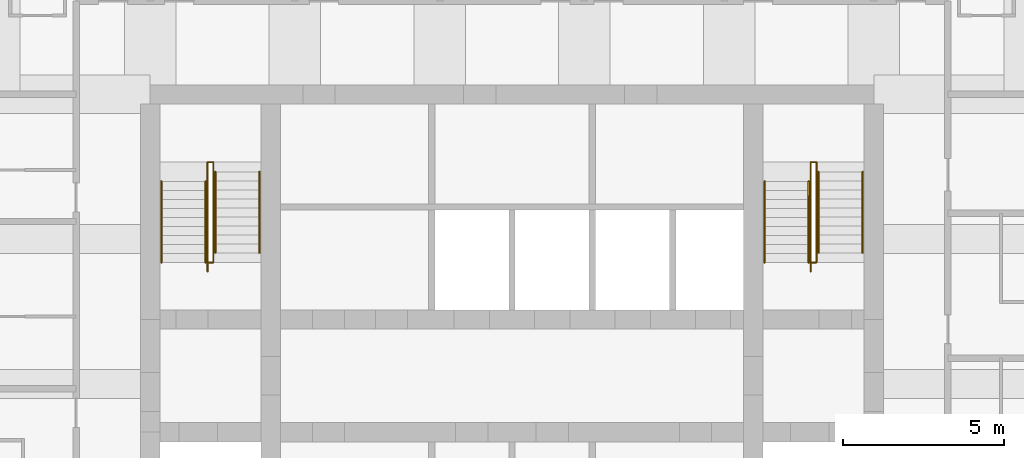
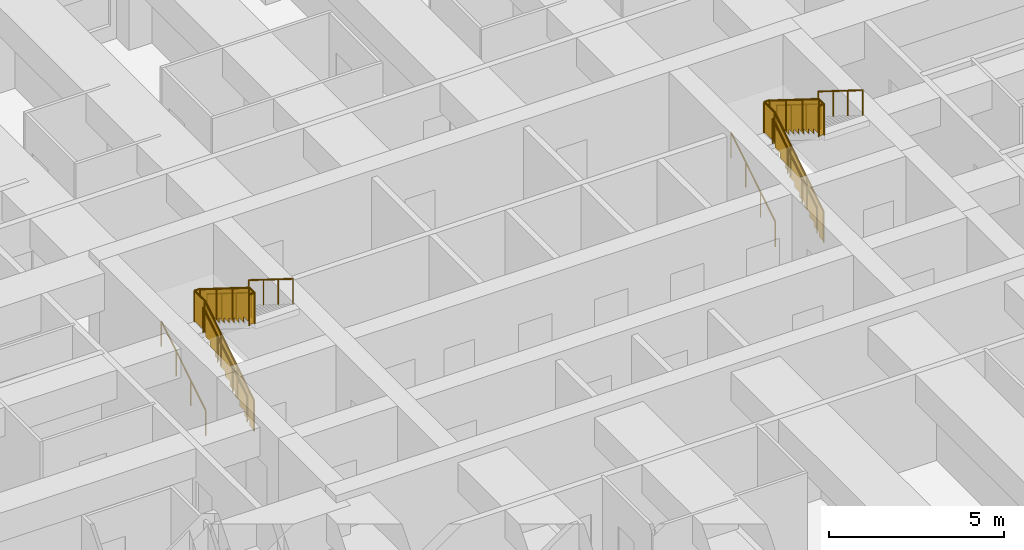
# One storey, part 8 of 8: 12 railings.
"""IFC4 building model written with IfcOpenShell, lengths in metres."""

from ifc_helpers import new_model, si_unit, direction, frame, origin, origin_2d, place, context, subcontext, project, spatial, polyline, circle, outline, extrude, material, type_object, element, save


model = new_model("IFC4")

# Units and contexts
model_context = context("Model", 3, precision=1e-05, world=origin(), true_north=direction((0.0, 1.0)))
body_context = subcontext(model_context, "Body", "Model", "MODEL_VIEW")
ifc_project = project(units=[si_unit("LENGTHUNIT", "METRE"), si_unit("AREAUNIT", "SQUARE_METRE"), si_unit("VOLUMEUNIT", "CUBIC_METRE"), si_unit("PLANEANGLEUNIT", "RADIAN"), si_unit("MASSUNIT", "GRAM", prefix="KILO")], contexts=[model_context])

# Site, building, storey
site_placement = place(None, origin())
site = spatial("IfcSite", under=ifc_project, at=site_placement, CompositionType="ELEMENT")
building_placement = place(site_placement, origin())
building = spatial("IfcBuilding", under=site, at=building_placement, Name="Kilele Tower Hotel", CompositionType="ELEMENT")
storey_placement = place(building_placement, frame((0.0, 0.0, 183.39990234375)))
storey = spatial("IfcBuildingStorey", under=building, at=storey_placement, Name="L47", CompositionType="ELEMENT", Elevation=183.39990234375)

# Railings
ifc_material_1 = material(Name="Steel handrail", Category="steel")
railing_type_1 = type_object("IfcRailingType", Name="Handrail 900", PredefinedType="HANDRAIL", material=ifc_material_1)
for number, where, name in (
    (1, (13.85009765625, 21.77490234375, 0.175048828125), "Handrail ST1 flight 1"),
    (2, (15.22509765625, 21.77490234375, 0.175048828125), "Handrail ST1 flight 1"),
):
    element("IfcRailing", number, at=place(storey_placement, frame(where)), inside=storey, type_object=railing_type_1, Name=name, PredefinedType="HANDRAIL", context=body_context, shape_type="SweptSolid", body=[
        extrude(circle(Radius=0.02490234375, at=origin_2d()), frame((0.0, 0.0, 0.875), z_axis=(0.0, 0.848007534815, 0.529984170421), x_axis=(-1.0, 0.0, 0.0)), (0.0, 0.0, 1.0), 2.9716796875),
        extrude(circle(Radius=0.02001953125, at=origin_2d()), origin(), (0.0, 0.0, 1.0), 0.849853515625),
        extrude(circle(Radius=0.02001953125, at=origin_2d()), frame((0.0, 0.840087890625, 0.52490234375)), (0.0, 0.0, 1.0), 0.849853515625),
        extrude(circle(Radius=0.02001953125, at=origin_2d()), frame((0.0, 1.679931640625, 1.050048828125)), (0.0, 0.0, 1.0), 0.849853515625),
        extrude(circle(Radius=0.02001953125, at=origin_2d()), frame((0.0, 2.52001953125, 1.574951171875)), (0.0, 0.0, 1.0), 0.849853515625),
    ])
for number, where, name in (
    (3, (15.52490234375, 24.594970703125, 1.925048828125), "Handrail ST1 flight 2"),
    (4, (16.89990234375, 24.594970703125, 1.925048828125), "Handrail ST1 flight 2"),
):
    element("IfcRailing", number, at=place(storey_placement, frame(where)), inside=storey, type_object=railing_type_1, Name=name, PredefinedType="HANDRAIL", context=body_context, shape_type="SweptSolid", body=[
        extrude(circle(Radius=0.02490234375, at=origin_2d()), frame((0.0, 0.0, 0.875), z_axis=(0.0, -0.848007534815, 0.529984170421), x_axis=(1.0, 0.0, 0.0)), (0.0, 0.0, 1.0), 2.9716796875),
        extrude(circle(Radius=0.02001953125, at=origin_2d()), origin(), (0.0, 0.0, 1.0), 0.849853515625),
        extrude(circle(Radius=0.02001953125, at=origin_2d()), frame((0.0, -0.840087890625, 0.52490234375)), (0.0, 0.0, 1.0), 0.849853515625),
        extrude(circle(Radius=0.02001953125, at=origin_2d()), frame((0.0, -1.679931640625, 1.050048828125)), (0.0, 0.0, 1.0), 0.849853515625),
        extrude(circle(Radius=0.02001953125, at=origin_2d()), frame((0.0, -2.52001953125, 1.574951171875)), (0.0, 0.0, 1.0), 0.849853515625),
    ])
for number, where, name in (
    (5, (32.60009765625, 21.77490234375, 0.175048828125), "Handrail ST2 flight 1"),
    (6, (33.97509765625, 21.77490234375, 0.175048828125), "Handrail ST2 flight 1"),
):
    element("IfcRailing", number, at=place(storey_placement, frame(where)), inside=storey, type_object=railing_type_1, Name=name, PredefinedType="HANDRAIL", context=body_context, shape_type="SweptSolid", body=[
        extrude(circle(Radius=0.02490234375, at=origin_2d()), frame((0.0, 0.0, 0.875), z_axis=(0.0, 0.848007534815, 0.529984170421), x_axis=(-1.0, 0.0, 0.0)), (0.0, 0.0, 1.0), 2.9716796875),
        extrude(circle(Radius=0.02001953125, at=origin_2d()), origin(), (0.0, 0.0, 1.0), 0.849853515625),
        extrude(circle(Radius=0.02001953125, at=origin_2d()), frame((0.0, 0.840087890625, 0.52490234375)), (0.0, 0.0, 1.0), 0.849853515625),
        extrude(circle(Radius=0.02001953125, at=origin_2d()), frame((0.0, 1.679931640625, 1.050048828125)), (0.0, 0.0, 1.0), 0.849853515625),
        extrude(circle(Radius=0.02001953125, at=origin_2d()), frame((0.0, 2.52001953125, 1.574951171875)), (0.0, 0.0, 1.0), 0.849853515625),
    ])
for number, where, name in (
    (7, (34.27490234375, 24.594970703125, 1.925048828125), "Handrail ST2 flight 2"),
    (8, (35.64990234375, 24.594970703125, 1.925048828125), "Handrail ST2 flight 2"),
):
    element("IfcRailing", number, at=place(storey_placement, frame(where)), inside=storey, type_object=railing_type_1, Name=name, PredefinedType="HANDRAIL", context=body_context, shape_type="SweptSolid", body=[
        extrude(circle(Radius=0.02490234375, at=origin_2d()), frame((0.0, 0.0, 0.875), z_axis=(0.0, -0.848007534815, 0.529984170421), x_axis=(1.0, 0.0, 0.0)), (0.0, 0.0, 1.0), 2.9716796875),
        extrude(circle(Radius=0.02001953125, at=origin_2d()), origin(), (0.0, 0.0, 1.0), 0.849853515625),
        extrude(circle(Radius=0.02001953125, at=origin_2d()), frame((0.0, -0.840087890625, 0.52490234375)), (0.0, 0.0, 1.0), 0.849853515625),
        extrude(circle(Radius=0.02001953125, at=origin_2d()), frame((0.0, -1.679931640625, 1.050048828125)), (0.0, 0.0, 1.0), 0.849853515625),
        extrude(circle(Radius=0.02001953125, at=origin_2d()), frame((0.0, -2.52001953125, 1.574951171875)), (0.0, 0.0, 1.0), 0.849853515625),
    ])
ifc_material_2 = material(Name="Steel guard", Category="steel")
railing_type_2 = type_object("IfcRailingType", Name="Stair guard 1100", PredefinedType="GUARDRAIL", material=ifc_material_2)
railing_1_placement = place(storey_placement, frame((15.284912109375, 21.4951171875, 0.0)))
element("IfcRailing", 9, at=railing_1_placement, inside=storey, type_object=railing_type_2, Name="Stair well guard ST1 flight 1", PredefinedType="GUARDRAIL", context=body_context, shape_type="SweptSolid", body=[
    extrude(circle(Radius=0.02490234375, at=origin_2d()), frame((0.0, 0.0, 1.0751953125), z_axis=(0.0, 0.847981687118, 0.530025526095), x_axis=(-1.0, 0.0, 0.0)), (0.0, 0.0, 1.0), 3.3017578125),
    extrude(circle(Radius=0.02490234375, at=origin_2d()), frame((0.0, 2.7998046875, 2.8251953125), z_axis=(0.0, 1.0, 0.0), x_axis=(-1.0, 0.0, 0.0)), (0.0, 0.0, 1.0), 0.60009765625),
    extrude(circle(Radius=0.02490234375, at=origin_2d()), frame((0.0, 3.39990234375, 2.8251953125), z_axis=(1.0, 0.0, 0.0), x_axis=(0.0, 1.0, 0.0)), (0.0, 0.0, 1.0), 0.18017578125),
    extrude(circle(Radius=0.02490234375, at=origin_2d()), origin(), (0.0, 0.0, 1.0), 1.050048828125),
    extrude(circle(Radius=0.02490234375, at=origin_2d()), frame((0.0, 0.933349609375, 0.583251953125)), (0.0, 0.0, 1.0), 1.050048828125),
    extrude(circle(Radius=0.02490234375, at=origin_2d()), frame((0.0, 1.866455078125, 1.166748046875)), (0.0, 0.0, 1.0), 1.050048828125),
    extrude(circle(Radius=0.02490234375, at=origin_2d()), frame((0.0, 2.7998046875, 1.75)), (0.0, 0.0, 1.0), 1.050048828125),
    extrude(circle(Radius=0.02490234375, at=origin_2d()), frame((0.0, 3.39990234375, 1.75)), (0.0, 0.0, 1.0), 1.050048828125),
    extrude(circle(Radius=0.02490234375, at=origin_2d()), frame((0.18017578125, 3.39990234375, 1.75)), (0.0, 0.0, 1.0), 1.050048828125),
    extrude(outline(polyline([(0.012451171875, 0.030029296875), (0.25, 0.030029296875), (0.25, 0.205078125), (0.530029296875, 0.205078125), (0.530029296875, 0.380126953125), (0.809814453125, 0.380126953125), (0.809814453125, 0.554931640625), (1.08984375, 0.554931640625), (1.08984375, 0.72998046875), (1.369873046875, 0.72998046875), (1.369873046875, 0.905029296875), (1.64990234375, 0.905029296875), (1.64990234375, 1.080078125), (1.929931640625, 1.080078125), (1.929931640625, 1.255126953125), (2.209716796875, 1.255126953125), (2.209716796875, 1.429931640625), (2.48974609375, 1.429931640625), (2.48974609375, 1.60498046875), (2.769775390625, 1.60498046875), (2.769775390625, 1.780029296875), (2.787353515625, 1.780029296875), (2.787353515625, 2.787841796875), (0.012451171875, 1.053466796875), (0.012451171875, 0.030029296875)])), frame((-0.005859375, 0.0, 0.0), z_axis=(1.0, 0.0, 0.0), x_axis=(0.0, 1.0, 0.0)), (0.0, 0.0, 1.0), 0.011962890625),
    extrude(outline(polyline([(0.012451171875, 0.030029296875), (0.587646484375, 0.030029296875), (0.587646484375, 1.050048828125), (0.012451171875, 1.050048828125), (0.012451171875, 0.030029296875)])), frame((-0.005859375, 2.7998046875, 1.75), z_axis=(1.0, 0.0, 0.0), x_axis=(0.0, 1.0, 0.0)), (0.0, 0.0, 1.0), 0.011962890625),
    extrude(outline(polyline([(0.012451171875, 0.030029296875), (0.18017578125, 0.030029296875), (0.18017578125, 1.050048828125), (0.012451171875, 1.050048828125), (0.012451171875, 0.030029296875)])), frame((0.0, 3.40576171875, 1.75), z_axis=(0.0, -1.0, 0.0), x_axis=(1.0, 0.0, 0.0)), (0.0, 0.0, 1.0), 0.011962890625),
])
railing_2_placement = place(storey_placement, frame((15.465087890625, 24.89501953125, 1.75)))
element("IfcRailing", 10, at=railing_2_placement, inside=storey, type_object=railing_type_2, Name="Stair well guard ST1 flight 2", PredefinedType="GUARDRAIL", context=body_context, shape_type="SweptSolid", body=[
    extrude(circle(Radius=0.02490234375, at=origin_2d()), frame((0.0, 0.0, 1.0751953125), z_axis=(0.0, -1.0, 0.0), x_axis=(1.0, 0.0, 0.0)), (0.0, 0.0, 1.0), 0.02001953125),
    extrude(circle(Radius=0.02490234375, at=origin_2d()), frame((0.0, -0.02001953125, 1.0751953125), z_axis=(0.0, -0.848002457836, 0.529992293815), x_axis=(1.0, 0.0, 0.0)), (0.0, 0.0, 1.0), 3.302001953125),
    extrude(circle(Radius=0.02490234375, at=origin_2d()), frame((0.0, -2.820068359375, 2.8251953125), z_axis=(0.0, -1.0, 0.0), x_axis=(1.0, 0.0, 0.0)), (0.0, 0.0, 1.0), 0.300048828125),
    extrude(circle(Radius=0.02490234375, at=origin_2d()), frame((0.0, -3.1201171875, 2.8251953125), z_axis=(-1.0, 0.0, 0.0), x_axis=(0.0, -1.0, 0.0)), (0.0, 0.0, 1.0), 0.18017578125),
    extrude(circle(Radius=0.02490234375, at=origin_2d()), origin(), (0.0, 0.0, 1.0), 1.050048828125),
    extrude(circle(Radius=0.02490234375, at=origin_2d()), frame((0.0, -0.02001953125, 0.0)), (0.0, 0.0, 1.0), 1.050048828125),
    extrude(circle(Radius=0.02490234375, at=origin_2d()), frame((0.0, -0.953369140625, 0.583251953125)), (0.0, 0.0, 1.0), 1.050048828125),
    extrude(circle(Radius=0.02490234375, at=origin_2d()), frame((0.0, -1.88671875, 1.166748046875)), (0.0, 0.0, 1.0), 1.050048828125),
    extrude(circle(Radius=0.02490234375, at=origin_2d()), frame((0.0, -2.820068359375, 1.75)), (0.0, 0.0, 1.0), 1.050048828125),
    extrude(circle(Radius=0.02490234375, at=origin_2d()), frame((0.0, -3.1201171875, 1.75)), (0.0, 0.0, 1.0), 1.050048828125),
    extrude(circle(Radius=0.02490234375, at=origin_2d()), frame((-0.18017578125, -3.1201171875, 1.75)), (0.0, 0.0, 1.0), 1.050048828125),
    extrude(outline(polyline([(0.012451171875, 0.030029296875), (0.25, 0.030029296875), (0.25, 0.205078125), (0.530029296875, 0.205078125), (0.530029296875, 0.380126953125), (0.81005859375, 0.380126953125), (0.81005859375, 0.554931640625), (1.090087890625, 0.554931640625), (1.090087890625, 0.72998046875), (1.3701171875, 0.72998046875), (1.3701171875, 0.905029296875), (1.64990234375, 0.905029296875), (1.64990234375, 1.080078125), (1.929931640625, 1.080078125), (1.929931640625, 1.255126953125), (2.2099609375, 1.255126953125), (2.2099609375, 1.429931640625), (2.489990234375, 1.429931640625), (2.489990234375, 1.60498046875), (2.77001953125, 1.60498046875), (2.77001953125, 1.780029296875), (2.78759765625, 1.780029296875), (2.78759765625, 2.787841796875), (0.012451171875, 1.053466796875), (0.012451171875, 0.030029296875)])), frame((0.005859375, -0.02001953125, 0.0), z_axis=(-1.0, 0.0, 0.0), x_axis=(0.0, -1.0, 0.0)), (0.0, 0.0, 1.0), 0.011962890625),
    extrude(outline(polyline([(0.012451171875, 0.030029296875), (0.28759765625, 0.030029296875), (0.28759765625, 1.050048828125), (0.012451171875, 1.050048828125), (0.012451171875, 0.030029296875)])), frame((0.005859375, -2.820068359375, 1.75), z_axis=(-1.0, 0.0, 0.0), x_axis=(0.0, -1.0, 0.0)), (0.0, 0.0, 1.0), 0.011962890625),
    extrude(outline(polyline([(0.012451171875, 0.030029296875), (0.18017578125, 0.030029296875), (0.18017578125, 1.050048828125), (0.012451171875, 1.050048828125), (0.012451171875, 0.030029296875)])), frame((0.0, -3.1259765625, 1.75), z_axis=(0.0, 1.0, 0.0), x_axis=(-1.0, 0.0, 0.0)), (0.0, 0.0, 1.0), 0.011962890625),
])
railing_3_placement = place(storey_placement, frame((34.034912109375, 21.4951171875, 0.0)))
element("IfcRailing", 11, at=railing_3_placement, inside=storey, type_object=railing_type_2, Name="Stair well guard ST2 flight 1", PredefinedType="GUARDRAIL", context=body_context, shape_type="SweptSolid", body=[
    extrude(circle(Radius=0.02490234375, at=origin_2d()), frame((0.0, 0.0, 1.0751953125), z_axis=(0.0, 0.847981687118, 0.530025526095), x_axis=(-1.0, 0.0, 0.0)), (0.0, 0.0, 1.0), 3.3017578125),
    extrude(circle(Radius=0.02490234375, at=origin_2d()), frame((0.0, 2.7998046875, 2.8251953125), z_axis=(0.0, 1.0, 0.0), x_axis=(-1.0, 0.0, 0.0)), (0.0, 0.0, 1.0), 0.60009765625),
    extrude(circle(Radius=0.02490234375, at=origin_2d()), frame((0.0, 3.39990234375, 2.8251953125), z_axis=(1.0, 0.0, 0.0), x_axis=(0.0, 1.0, 0.0)), (0.0, 0.0, 1.0), 0.18017578125),
    extrude(circle(Radius=0.02490234375, at=origin_2d()), origin(), (0.0, 0.0, 1.0), 1.050048828125),
    extrude(circle(Radius=0.02490234375, at=origin_2d()), frame((0.0, 0.933349609375, 0.583251953125)), (0.0, 0.0, 1.0), 1.050048828125),
    extrude(circle(Radius=0.02490234375, at=origin_2d()), frame((0.0, 1.866455078125, 1.166748046875)), (0.0, 0.0, 1.0), 1.050048828125),
    extrude(circle(Radius=0.02490234375, at=origin_2d()), frame((0.0, 2.7998046875, 1.75)), (0.0, 0.0, 1.0), 1.050048828125),
    extrude(circle(Radius=0.02490234375, at=origin_2d()), frame((0.0, 3.39990234375, 1.75)), (0.0, 0.0, 1.0), 1.050048828125),
    extrude(circle(Radius=0.02490234375, at=origin_2d()), frame((0.18017578125, 3.39990234375, 1.75)), (0.0, 0.0, 1.0), 1.050048828125),
    extrude(outline(polyline([(0.012451171875, 0.030029296875), (0.25, 0.030029296875), (0.25, 0.205078125), (0.530029296875, 0.205078125), (0.530029296875, 0.380126953125), (0.809814453125, 0.380126953125), (0.809814453125, 0.554931640625), (1.08984375, 0.554931640625), (1.08984375, 0.72998046875), (1.369873046875, 0.72998046875), (1.369873046875, 0.905029296875), (1.64990234375, 0.905029296875), (1.64990234375, 1.080078125), (1.929931640625, 1.080078125), (1.929931640625, 1.255126953125), (2.209716796875, 1.255126953125), (2.209716796875, 1.429931640625), (2.48974609375, 1.429931640625), (2.48974609375, 1.60498046875), (2.769775390625, 1.60498046875), (2.769775390625, 1.780029296875), (2.787353515625, 1.780029296875), (2.787353515625, 2.787841796875), (0.012451171875, 1.053466796875), (0.012451171875, 0.030029296875)])), frame((-0.005859375, 0.0, 0.0), z_axis=(1.0, 0.0, 0.0), x_axis=(0.0, 1.0, 0.0)), (0.0, 0.0, 1.0), 0.011962890625),
    extrude(outline(polyline([(0.012451171875, 0.030029296875), (0.587646484375, 0.030029296875), (0.587646484375, 1.050048828125), (0.012451171875, 1.050048828125), (0.012451171875, 0.030029296875)])), frame((-0.005859375, 2.7998046875, 1.75), z_axis=(1.0, 0.0, 0.0), x_axis=(0.0, 1.0, 0.0)), (0.0, 0.0, 1.0), 0.011962890625),
    extrude(outline(polyline([(0.012451171875, 0.030029296875), (0.18017578125, 0.030029296875), (0.18017578125, 1.050048828125), (0.012451171875, 1.050048828125), (0.012451171875, 0.030029296875)])), frame((0.0, 3.40576171875, 1.75), z_axis=(0.0, -1.0, 0.0), x_axis=(1.0, 0.0, 0.0)), (0.0, 0.0, 1.0), 0.011962890625),
])
railing_4_placement = place(storey_placement, frame((34.215087890625, 24.89501953125, 1.75)))
element("IfcRailing", 12, at=railing_4_placement, inside=storey, type_object=railing_type_2, Name="Stair well guard ST2 flight 2", PredefinedType="GUARDRAIL", context=body_context, shape_type="SweptSolid", body=[
    extrude(circle(Radius=0.02490234375, at=origin_2d()), frame((0.0, 0.0, 1.0751953125), z_axis=(0.0, -1.0, 0.0), x_axis=(1.0, 0.0, 0.0)), (0.0, 0.0, 1.0), 0.02001953125),
    extrude(circle(Radius=0.02490234375, at=origin_2d()), frame((0.0, -0.02001953125, 1.0751953125), z_axis=(0.0, -0.848002457836, 0.529992293815), x_axis=(1.0, 0.0, 0.0)), (0.0, 0.0, 1.0), 3.302001953125),
    extrude(circle(Radius=0.02490234375, at=origin_2d()), frame((0.0, -2.820068359375, 2.8251953125), z_axis=(0.0, -1.0, 0.0), x_axis=(1.0, 0.0, 0.0)), (0.0, 0.0, 1.0), 0.300048828125),
    extrude(circle(Radius=0.02490234375, at=origin_2d()), frame((0.0, -3.1201171875, 2.8251953125), z_axis=(-1.0, 0.0, 0.0), x_axis=(0.0, -1.0, 0.0)), (0.0, 0.0, 1.0), 0.18017578125),
    extrude(circle(Radius=0.02490234375, at=origin_2d()), origin(), (0.0, 0.0, 1.0), 1.050048828125),
    extrude(circle(Radius=0.02490234375, at=origin_2d()), frame((0.0, -0.02001953125, 0.0)), (0.0, 0.0, 1.0), 1.050048828125),
    extrude(circle(Radius=0.02490234375, at=origin_2d()), frame((0.0, -0.953369140625, 0.583251953125)), (0.0, 0.0, 1.0), 1.050048828125),
    extrude(circle(Radius=0.02490234375, at=origin_2d()), frame((0.0, -1.88671875, 1.166748046875)), (0.0, 0.0, 1.0), 1.050048828125),
    extrude(circle(Radius=0.02490234375, at=origin_2d()), frame((0.0, -2.820068359375, 1.75)), (0.0, 0.0, 1.0), 1.050048828125),
    extrude(circle(Radius=0.02490234375, at=origin_2d()), frame((0.0, -3.1201171875, 1.75)), (0.0, 0.0, 1.0), 1.050048828125),
    extrude(circle(Radius=0.02490234375, at=origin_2d()), frame((-0.18017578125, -3.1201171875, 1.75)), (0.0, 0.0, 1.0), 1.050048828125),
    extrude(outline(polyline([(0.012451171875, 0.030029296875), (0.25, 0.030029296875), (0.25, 0.205078125), (0.530029296875, 0.205078125), (0.530029296875, 0.380126953125), (0.81005859375, 0.380126953125), (0.81005859375, 0.554931640625), (1.090087890625, 0.554931640625), (1.090087890625, 0.72998046875), (1.3701171875, 0.72998046875), (1.3701171875, 0.905029296875), (1.64990234375, 0.905029296875), (1.64990234375, 1.080078125), (1.929931640625, 1.080078125), (1.929931640625, 1.255126953125), (2.2099609375, 1.255126953125), (2.2099609375, 1.429931640625), (2.489990234375, 1.429931640625), (2.489990234375, 1.60498046875), (2.77001953125, 1.60498046875), (2.77001953125, 1.780029296875), (2.78759765625, 1.780029296875), (2.78759765625, 2.787841796875), (0.012451171875, 1.053466796875), (0.012451171875, 0.030029296875)])), frame((0.005859375, -0.02001953125, 0.0), z_axis=(-1.0, 0.0, 0.0), x_axis=(0.0, -1.0, 0.0)), (0.0, 0.0, 1.0), 0.011962890625),
    extrude(outline(polyline([(0.012451171875, 0.030029296875), (0.28759765625, 0.030029296875), (0.28759765625, 1.050048828125), (0.012451171875, 1.050048828125), (0.012451171875, 0.030029296875)])), frame((0.005859375, -2.820068359375, 1.75), z_axis=(-1.0, 0.0, 0.0), x_axis=(0.0, -1.0, 0.0)), (0.0, 0.0, 1.0), 0.011962890625),
    extrude(outline(polyline([(0.012451171875, 0.030029296875), (0.18017578125, 0.030029296875), (0.18017578125, 1.050048828125), (0.012451171875, 1.050048828125), (0.012451171875, 0.030029296875)])), frame((0.0, -3.1259765625, 1.75), z_axis=(0.0, 1.0, 0.0), x_axis=(-1.0, 0.0, 0.0)), (0.0, 0.0, 1.0), 0.011962890625),
])

save(model, "model.ifc")
